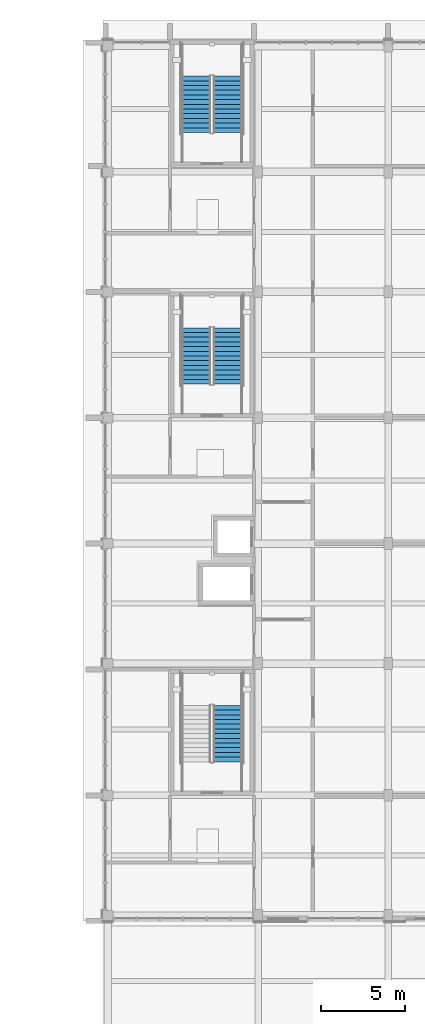
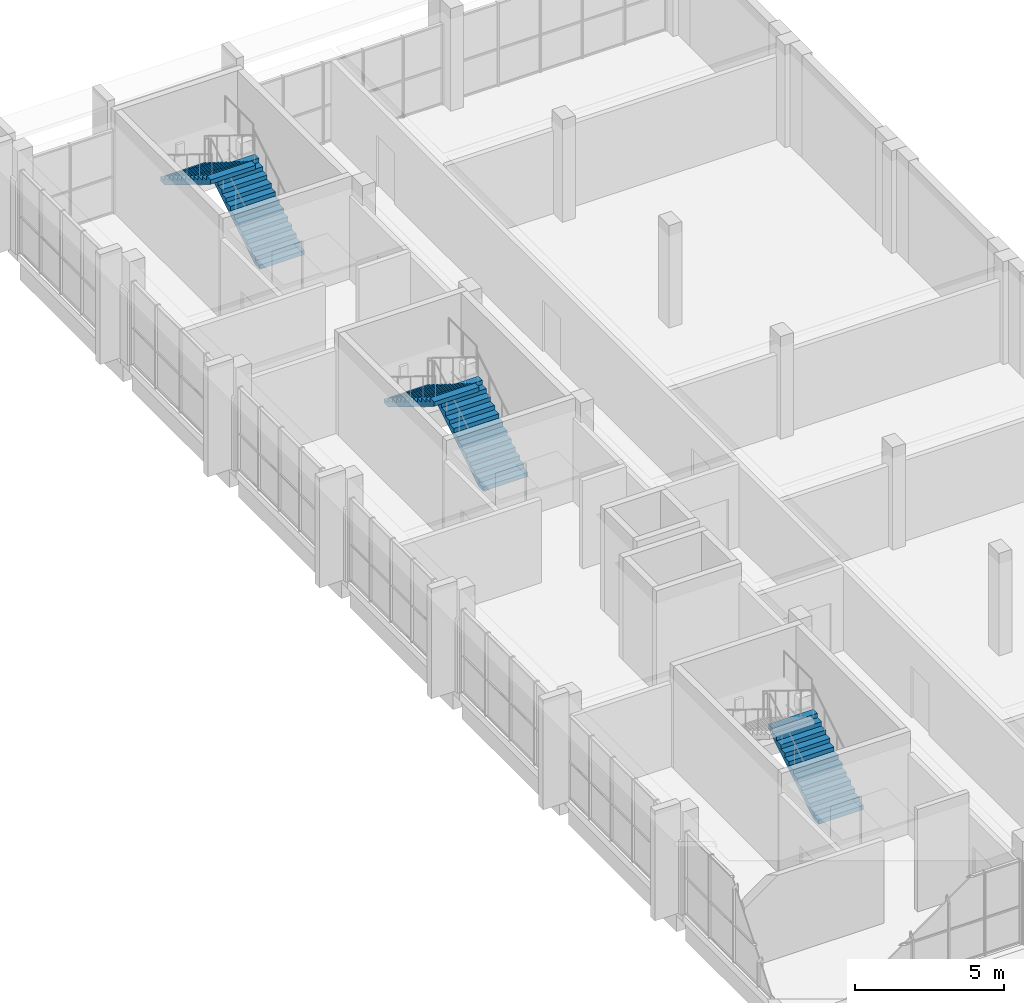
# One storey, part 31 of 42: 5 stair flights, 3 elements without a shape of their own.
"""IFC4 building model written with IfcOpenShell, lengths in metres."""

from ifc_helpers import new_model, si_unit, direction, frame, origin, place, context, subcontext, project, spatial, polyline, outline, extrude, material, type_object, element, aggregate, save


model = new_model("IFC4")

# Units and contexts
model_context = context("Model", 3, precision=1e-05, world=origin(), true_north=direction((0.0, 1.0)))
body_context = subcontext(model_context, "Body", "Model", "MODEL_VIEW")
ifc_project = project(units=[si_unit("LENGTHUNIT", "METRE"), si_unit("AREAUNIT", "SQUARE_METRE"), si_unit("VOLUMEUNIT", "CUBIC_METRE"), si_unit("PLANEANGLEUNIT", "RADIAN"), si_unit("MASSUNIT", "GRAM", prefix="KILO")], contexts=[model_context])

# Site, building, storey
site_placement = place(None, origin())
site = spatial("IfcSite", under=ifc_project, at=site_placement, CompositionType="ELEMENT")
building_placement = place(site_placement, origin())
building = spatial("IfcBuilding", under=site, at=building_placement, Name="Sun Court Science Centre", CompositionType="ELEMENT")
storey_placement = place(building_placement, frame((0.0, 0.0, 20.25)))
storey = spatial("IfcBuildingStorey", under=building, at=storey_placement, Name="L04", CompositionType="ELEMENT", Elevation=20.25)

# Stair, stair flight
ifc_material_1 = material(Name="Concrete C25/30", Category="concrete")
stair_type = type_object("IfcStairType", Name="Stair 1500 enclosed half-turn", PredefinedType="HALF_TURN_STAIR", material=ifc_material_1)
stair_1_placement = place(storey_placement, origin())
stair_1 = element("IfcStair", 1, at=stair_1_placement, inside=storey, type_object=stair_type, Name="L04 Stair SL2", PredefinedType="HALF_TURN_STAIR")
ifc_material_2 = material(Name="Concrete C25/30", Category="concrete")
stair_flight_type = type_object("IfcStairFlightType", Name="Stair flight 1500 with waist", PredefinedType="STRAIGHT", material=ifc_material_2)
stair_flight_1_placement = place(storey_placement, frame((85.448974609375, 37.998046875, 0.0), z_axis=(0.0, 0.0, 1.0), x_axis=(0.0, 1.0, 0.0)))
stair_flight_1 = element("IfcStairFlight", 2, at=stair_flight_1_placement, type_object=stair_flight_type, Name="SL2 flight 1", NumberOfRisers=13, NumberOfTreads=12, PredefinedType="STRAIGHT", RiserHeight=0.173076923, TreadLength=0.28, context=body_context, shape_type="SweptSolid", body=[
    extrude(outline(polyline([(0.0, 0.0), (0.0, 0.173095703125), (0.280029296875, 0.173095703125), (0.280029296875, 0.34619140625), (0.56005859375, 0.34619140625), (0.56005859375, 0.519287109375), (0.840087890625, 0.519287109375), (0.840087890625, 0.6923828125), (1.1201171875, 0.6923828125), (1.1201171875, 0.865478515625), (1.39990234375, 0.865478515625), (1.39990234375, 1.03857421875), (1.679931640625, 1.03857421875), (1.679931640625, 1.21142578125), (1.9599609375, 1.21142578125), (1.9599609375, 1.384521484375), (2.239990234375, 1.384521484375), (2.239990234375, 1.5576171875), (2.52001953125, 1.5576171875), (2.52001953125, 1.730712890625), (2.800048828125, 1.730712890625), (2.800048828125, 1.90380859375), (3.080078125, 1.90380859375), (3.080078125, 2.076904296875), (3.360107421875, 2.076904296875), (3.360107421875, 2.25), (3.360107421875, 1.900634765625), (0.28515625, 0.0), (0.0, 0.0)])), frame((0.0, 0.8740234375, 0.0), z_axis=(0.0, -1.0, 0.0), x_axis=(1.0, 0.0, 0.0)), (0.0, 0.0, 1.0), 1.748046875),
])
aggregate(stair_1, [stair_flight_1])

# Stair, stair flights
stair_2_placement = place(storey_placement, origin())
stair_2 = element("IfcStair", 3, at=stair_2_placement, inside=storey, type_object=stair_type, Name="L04 Stair SL3", PredefinedType="HALF_TURN_STAIR")
stair_flight_2_placement = place(storey_placement, frame((85.448974609375, 60.498046875, 0.0), z_axis=(0.0, 0.0, 1.0), x_axis=(0.0, 1.0, 0.0)))
stair_flight_2 = element("IfcStairFlight", 4, at=stair_flight_2_placement, type_object=stair_flight_type, Name="SL3 flight 1", NumberOfRisers=13, NumberOfTreads=12, PredefinedType="STRAIGHT", RiserHeight=0.173076923, TreadLength=0.28, context=body_context, shape_type="SweptSolid", body=[
    extrude(outline(polyline([(0.0, 0.0), (0.0, 0.173095703125), (0.280029296875, 0.173095703125), (0.280029296875, 0.34619140625), (0.56005859375, 0.34619140625), (0.56005859375, 0.519287109375), (0.840087890625, 0.519287109375), (0.840087890625, 0.6923828125), (1.1201171875, 0.6923828125), (1.1201171875, 0.865478515625), (1.39990234375, 0.865478515625), (1.39990234375, 1.03857421875), (1.679931640625, 1.03857421875), (1.679931640625, 1.21142578125), (1.9599609375, 1.21142578125), (1.9599609375, 1.384521484375), (2.239990234375, 1.384521484375), (2.239990234375, 1.5576171875), (2.52001953125, 1.5576171875), (2.52001953125, 1.730712890625), (2.800048828125, 1.730712890625), (2.800048828125, 1.90380859375), (3.080078125, 1.90380859375), (3.080078125, 2.076904296875), (3.360107421875, 2.076904296875), (3.360107421875, 2.25), (3.360107421875, 1.900634765625), (0.28515625, 0.0), (0.0, 0.0)])), frame((0.0, 0.8740234375, 0.0), z_axis=(0.0, -1.0, 0.0), x_axis=(1.0, 0.0, 0.0)), (0.0, 0.0, 1.0), 1.748046875),
])
stair_flight_3_placement = place(storey_placement, frame((83.551025390625, 63.85791015625, 2.25), z_axis=(0.0, 0.0, 1.0), x_axis=(0.0, -1.0, 0.0)))
stair_flight_3 = element("IfcStairFlight", 5, at=stair_flight_3_placement, type_object=stair_flight_type, Name="SL3 flight 2", NumberOfRisers=13, NumberOfTreads=12, PredefinedType="STRAIGHT", RiserHeight=0.173076923, TreadLength=0.28, context=body_context, shape_type="SweptSolid", body=[
    extrude(outline(polyline([(0.0, 0.0), (0.0, 0.173095703125), (0.280029296875, 0.173095703125), (0.280029296875, 0.34619140625), (0.56005859375, 0.34619140625), (0.56005859375, 0.519287109375), (0.840087890625, 0.519287109375), (0.840087890625, 0.6923828125), (1.1201171875, 0.6923828125), (1.1201171875, 0.865478515625), (1.39990234375, 0.865478515625), (1.39990234375, 1.03857421875), (1.679931640625, 1.03857421875), (1.679931640625, 1.21142578125), (1.9599609375, 1.21142578125), (1.9599609375, 1.384521484375), (2.239990234375, 1.384521484375), (2.239990234375, 1.5576171875), (2.52001953125, 1.5576171875), (2.52001953125, 1.730712890625), (2.800048828125, 1.730712890625), (2.800048828125, 1.90380859375), (3.080078125, 1.90380859375), (3.080078125, 2.076904296875), (3.360107421875, 2.076904296875), (3.360107421875, 2.25), (3.360107421875, 1.900634765625), (0.28515625, 0.0), (0.0, 0.0)])), frame((0.0, 0.8740234375, 0.0), z_axis=(0.0, -1.0, 0.0), x_axis=(1.0, 0.0, 0.0)), (0.0, 0.0, 1.0), 1.748046875),
])
aggregate(stair_2, [stair_flight_2, stair_flight_3])

stair_3_placement = place(storey_placement, origin())
stair_3 = element("IfcStair", 6, at=stair_3_placement, inside=storey, type_object=stair_type, Name="L04 Stair SL4", PredefinedType="HALF_TURN_STAIR")
stair_flight_4_placement = place(storey_placement, frame((85.448974609375, 75.498046875, 0.0), z_axis=(0.0, 0.0, 1.0), x_axis=(0.0, 1.0, 0.0)))
stair_flight_4 = element("IfcStairFlight", 7, at=stair_flight_4_placement, type_object=stair_flight_type, Name="SL4 flight 1", NumberOfRisers=13, NumberOfTreads=12, PredefinedType="STRAIGHT", RiserHeight=0.173076923, TreadLength=0.28, context=body_context, shape_type="SweptSolid", body=[
    extrude(outline(polyline([(0.0, 0.0), (0.0, 0.173095703125), (0.280029296875, 0.173095703125), (0.280029296875, 0.34619140625), (0.56005859375, 0.34619140625), (0.56005859375, 0.519287109375), (0.840087890625, 0.519287109375), (0.840087890625, 0.6923828125), (1.1201171875, 0.6923828125), (1.1201171875, 0.865478515625), (1.39990234375, 0.865478515625), (1.39990234375, 1.03857421875), (1.679931640625, 1.03857421875), (1.679931640625, 1.21142578125), (1.9599609375, 1.21142578125), (1.9599609375, 1.384521484375), (2.239990234375, 1.384521484375), (2.239990234375, 1.5576171875), (2.52001953125, 1.5576171875), (2.52001953125, 1.730712890625), (2.800048828125, 1.730712890625), (2.800048828125, 1.90380859375), (3.080078125, 1.90380859375), (3.080078125, 2.076904296875), (3.360107421875, 2.076904296875), (3.360107421875, 2.25), (3.360107421875, 1.900634765625), (0.28515625, 0.0), (0.0, 0.0)])), frame((0.0, 0.8740234375, 0.0), z_axis=(0.0, -1.0, 0.0), x_axis=(1.0, 0.0, 0.0)), (0.0, 0.0, 1.0), 1.748046875),
])
stair_flight_5_placement = place(storey_placement, frame((83.551025390625, 78.85791015625, 2.25), z_axis=(0.0, 0.0, 1.0), x_axis=(0.0, -1.0, 0.0)))
stair_flight_5 = element("IfcStairFlight", 8, at=stair_flight_5_placement, type_object=stair_flight_type, Name="SL4 flight 2", NumberOfRisers=13, NumberOfTreads=12, PredefinedType="STRAIGHT", RiserHeight=0.173076923, TreadLength=0.28, context=body_context, shape_type="SweptSolid", body=[
    extrude(outline(polyline([(0.0, 0.0), (0.0, 0.173095703125), (0.280029296875, 0.173095703125), (0.280029296875, 0.34619140625), (0.56005859375, 0.34619140625), (0.56005859375, 0.519287109375), (0.840087890625, 0.519287109375), (0.840087890625, 0.6923828125), (1.1201171875, 0.6923828125), (1.1201171875, 0.865478515625), (1.39990234375, 0.865478515625), (1.39990234375, 1.03857421875), (1.679931640625, 1.03857421875), (1.679931640625, 1.21142578125), (1.9599609375, 1.21142578125), (1.9599609375, 1.384521484375), (2.239990234375, 1.384521484375), (2.239990234375, 1.5576171875), (2.52001953125, 1.5576171875), (2.52001953125, 1.730712890625), (2.800048828125, 1.730712890625), (2.800048828125, 1.90380859375), (3.080078125, 1.90380859375), (3.080078125, 2.076904296875), (3.360107421875, 2.076904296875), (3.360107421875, 2.25), (3.360107421875, 1.900634765625), (0.28515625, 0.0), (0.0, 0.0)])), frame((0.0, 0.8740234375, 0.0), z_axis=(0.0, -1.0, 0.0), x_axis=(1.0, 0.0, 0.0)), (0.0, 0.0, 1.0), 1.748046875),
])
aggregate(stair_3, [stair_flight_4, stair_flight_5])

save(model, "model.ifc")
